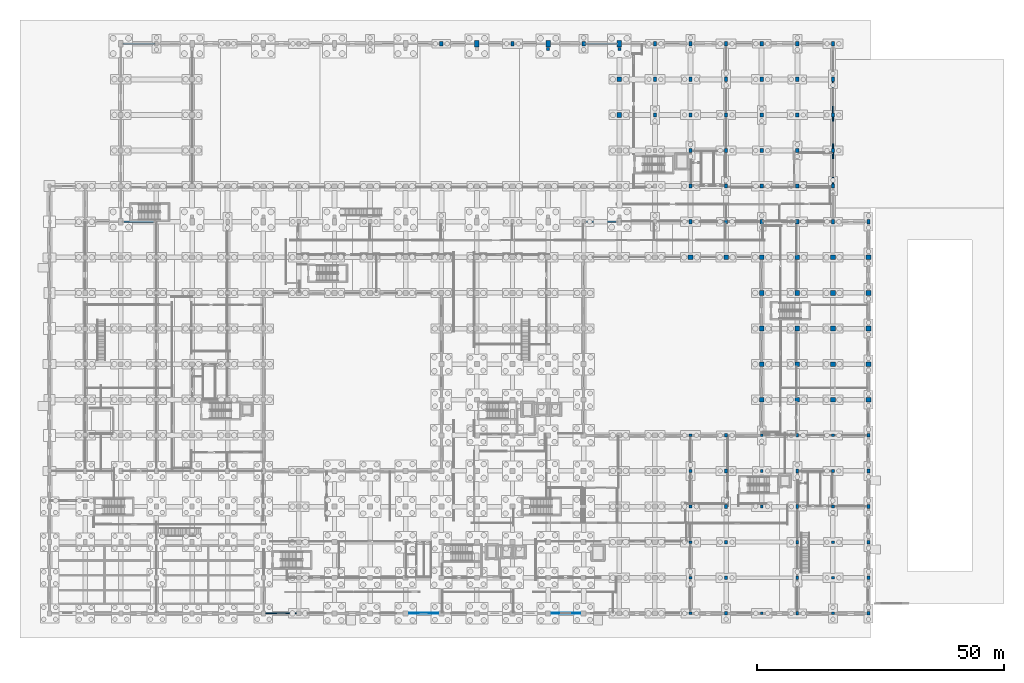
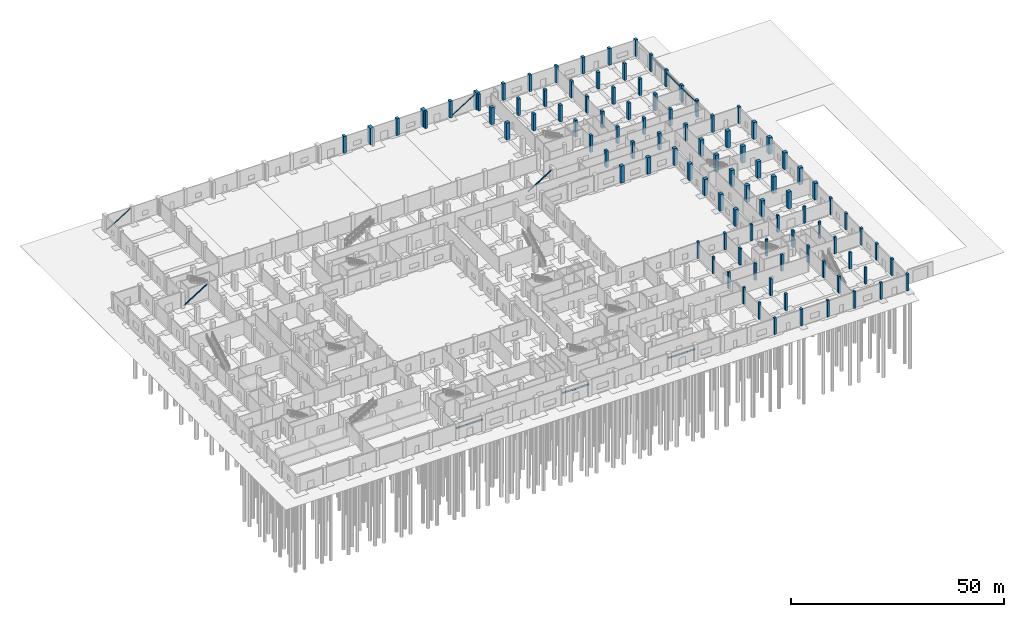
# One storey, part 14 of 48: 100 columns, 6 beams, 4 members.
"""IFC4 building model written with IfcOpenShell, lengths in metres."""

from ifc_helpers import new_model, si_unit, direction, frame, origin, origin_2d, place, context, subcontext, project, spatial, rectangle, hollow_rectangle, extrude, material, material_profile, profile_set, type_object, element, save


model = new_model("IFC4")

# Units and contexts
model_context = context("Model", 3, precision=1e-05, world=origin(), true_north=direction((0.0, 1.0)))
body_context = subcontext(model_context, "Body", "Model", "MODEL_VIEW")
ifc_project = project(units=[si_unit("LENGTHUNIT", "METRE"), si_unit("AREAUNIT", "SQUARE_METRE"), si_unit("VOLUMEUNIT", "CUBIC_METRE"), si_unit("PLANEANGLEUNIT", "RADIAN"), si_unit("MASSUNIT", "GRAM", prefix="KILO")], contexts=[model_context])

# Site, building, storey
site_placement = place(None, origin())
site = spatial("IfcSite", under=ifc_project, at=site_placement, CompositionType="ELEMENT")
building_placement = place(site_placement, origin())
building = spatial("IfcBuilding", under=site, at=building_placement, Name="Seraya Terrace Polytechnic", CompositionType="ELEMENT")
storey_placement = place(building_placement, origin())
storey = spatial("IfcBuildingStorey", under=building, at=storey_placement, Name="L00", CompositionType="ELEMENT", Elevation=0.0)

# Columns
ifc_material_1 = material(Name="Concrete C40/50", Category="concrete")
ifc_material_profile_1 = material_profile(ifc_material_1, rectangle(XDim=0.949951171875, YDim=0.949951171875, at=origin_2d()), Name="RC 950x950")
ifc_profile_set_1 = profile_set([ifc_material_profile_1], Name="Concrete C40/50")
column_type_1 = type_object("IfcColumnType", Name="C-02", PredefinedType="COLUMN", material=ifc_profile_set_1)
for number, where, z_axis, x_axis, name in (
    (1, (115.199951171875, 100.800048828125, 0.0), (0.0, 0.0, 1.0), (1.0, 0.0, 0.0), "Column C-02 L00 (115.2, 100.8)"),
    (2, (115.199951171875, 108.0, 0.0), (0.0, 0.0, 1.0), (1.0, 0.0, 0.0), "Column C-02 L00 (115.2, 108.0)"),
    (3, (129.60009765625, 72.0, 0.0), (0.0, 0.0, 1.0), (1.0, 0.0, 0.0), "Column C-02 L00 (129.6, 72.0)"),
    (4, (136.800048828125, 72.0, 0.0), (0.0, 0.0, 1.0), (1.0, 0.0, 0.0), "Column C-02 L00 (136.8, 72.0)"),
    (5, (144.0, 43.199951171875, 0.0), (0.0, 0.0, 1.0), (1.0, 0.0, 0.0), "Column C-02 L00 (144.0, 43.2)"),
    (6, (144.0, 50.39990234375, 0.0), (0.0, 0.0, 1.0), (1.0, 0.0, 0.0), "Column C-02 L00 (144.0, 50.4)"),
    (7, (144.0, 57.60009765625, 0.0), (0.0, 0.0, 1.0), (1.0, 0.0, 0.0), "Column C-02 L00 (144.0, 57.6)"),
    (8, (144.0, 64.800048828125, 0.0), (0.0, 0.0, 1.0), (1.0, 0.0, 0.0), "Column C-02 L00 (144.0, 64.8)"),
    (9, (144.0, 72.0, 0.0), (0.0, 0.0, 1.0), (1.0, 0.0, 0.0), "Column C-02 L00 (144.0, 72.0)"),
    (10, (151.199951171875, 43.199951171875, 0.0), (0.0, 0.0, 1.0), (1.0, 0.0, 0.0), "Column C-02 L00 (151.2, 43.2)"),
    (11, (151.199951171875, 50.39990234375, 0.0), (0.0, 0.0, 1.0), (1.0, 0.0, 0.0), "Column C-02 L00 (151.2, 50.4)"),
    (12, (151.199951171875, 57.60009765625, 0.0), (0.0, 0.0, 1.0), (1.0, 0.0, 0.0), "Column C-02 L00 (151.2, 57.6)"),
    (13, (151.199951171875, 64.800048828125, 0.0), (0.0, 0.0, 1.0), (1.0, 0.0, 0.0), "Column C-02 L00 (151.2, 64.8)"),
    (14, (151.199951171875, 72.0, 0.0), (0.0, 0.0, 1.0), (1.0, 0.0, 0.0), "Column C-02 L00 (151.2, 72.0)"),
    (15, (158.39990234375, 43.199951171875, 0.0), (0.0, 0.0, 1.0), (1.0, 0.0, 0.0), "Column C-02 L00 (158.4, 43.2)"),
    (16, (158.39990234375, 50.39990234375, 0.0), (0.0, 0.0, 1.0), (1.0, 0.0, 0.0), "Column C-02 L00 (158.4, 50.4)"),
    (17, (158.39990234375, 57.60009765625, 0.0), (0.0, 0.0, 1.0), (1.0, 0.0, 0.0), "Column C-02 L00 (158.4, 57.6)"),
    (18, (158.39990234375, 64.800048828125, 0.0), (0.0, 0.0, 1.0), (1.0, 0.0, 0.0), "Column C-02 L00 (158.4, 64.8)"),
    (19, (158.39990234375, 72.0, 0.0), (0.0, 0.0, 1.0), (1.0, 0.0, 0.0), "Column C-02 L00 (158.4, 72.0)"),
    (20, (165.60009765625, 43.199951171875, 0.0), (0.0, 0.0, 1.0), (1.0, 0.0, 0.0), "Column C-02 L00 (165.6, 43.2)"),
    (21, (165.60009765625, 50.39990234375, 0.0), (0.0, 0.0, 1.0), (1.0, 0.0, 0.0), "Column C-02 L00 (165.6, 50.4)"),
    (22, (165.60009765625, 57.60009765625, 0.0), (0.0, 0.0, 1.0), (1.0, 0.0, 0.0), "Column C-02 L00 (165.6, 57.6)"),
    (23, (165.60009765625, 64.800048828125, 0.0), (0.0, 0.0, 1.0), (1.0, 0.0, 0.0), "Column C-02 L00 (165.6, 64.8)"),
    (24, (165.60009765625, 72.0, 0.0), (0.0, 0.0, 1.0), (1.0, 0.0, 0.0), "Column C-02 L00 (165.6, 72.0)"),
):
    element("IfcColumn", number, at=place(storey_placement, frame(where, z_axis=z_axis, x_axis=x_axis)), inside=storey, type_object=column_type_1, Name=name, PredefinedType="COLUMN", context=body_context, shape_type="SweptSolid", body=[
        extrude(rectangle(XDim=0.949951171875, YDim=0.949951171875, at=origin_2d()), origin(), (0.0, 0.0, 1.0), 4.800048828125),
    ])
ifc_material_profile_2 = material_profile(ifc_material_1, rectangle(XDim=0.60009765625, YDim=0.60009765625, at=origin_2d()), Name="RC 600x600")
ifc_profile_set_2 = profile_set([ifc_material_profile_2], Name="Concrete C40/50")
column_type_2 = type_object("IfcColumnType", Name="C-09", PredefinedType="COLUMN", material=ifc_profile_set_2)
for number, where, z_axis, x_axis, name in (
    (25, (100.800048828125, 114.179931640625, 0.0), (0.0, 0.0, 1.0), (1.0, 0.0, 0.0), "Crane shoulder column L00 (100.8, 114.18)"),
    (26, (115.199951171875, 114.179931640625, 0.0), (0.0, 0.0, 1.0), (1.0, 0.0, 0.0), "Crane shoulder column L00 (115.2, 114.18)"),
):
    element("IfcColumn", number, at=place(storey_placement, frame(where, z_axis=z_axis, x_axis=x_axis)), inside=storey, type_object=column_type_2, Name=name, PredefinedType="COLUMN", context=body_context, shape_type="SweptSolid", body=[
        extrude(rectangle(XDim=0.60009765625, YDim=0.60009765625, at=origin_2d()), origin(), (0.0, 0.0, 1.0), 4.800048828125),
    ])
ifc_material_profile_3 = material_profile(ifc_material_1, rectangle(XDim=0.550048828125, YDim=0.550048828125, at=origin_2d()), Name="RC 550x550")
ifc_profile_set_3 = profile_set([ifc_material_profile_3], Name="Concrete C40/50")
column_type_3 = type_object("IfcColumnType", Name="C-10", PredefinedType="COLUMN", material=ifc_profile_set_3)
for number, where, z_axis, x_axis, name in (
    (27, (129.60009765625, 0.0, 0.0), (0.0, 0.0, 1.0), (1.0, 0.0, 0.0), "Column C-10 L00 (129.6, 0.0)"),
    (28, (129.60009765625, 7.199951171875, 0.0), (0.0, 0.0, 1.0), (1.0, 0.0, 0.0), "Column C-10 L00 (129.6, 7.2)"),
    (29, (129.60009765625, 14.39990234375, 0.0), (0.0, 0.0, 1.0), (1.0, 0.0, 0.0), "Column C-10 L00 (129.6, 14.4)"),
    (30, (129.60009765625, 21.60009765625, 0.0), (0.0, 0.0, 1.0), (1.0, 0.0, 0.0), "Column C-10 L00 (129.6, 21.6)"),
    (31, (129.60009765625, 28.800048828125, 0.0), (0.0, 0.0, 1.0), (1.0, 0.0, 0.0), "Column C-10 L00 (129.6, 28.8)"),
    (32, (129.60009765625, 36.0, 0.0), (0.0, 0.0, 1.0), (1.0, 0.0, 0.0), "Column C-10 L00 (129.6, 36.0)"),
    (33, (144.0, 0.0, 0.0), (0.0, 0.0, 1.0), (1.0, 0.0, 0.0), "Column C-10 L00 (144.0, 0.0)"),
    (34, (144.0, 21.60009765625, 0.0), (0.0, 0.0, 1.0), (1.0, 0.0, 0.0), "Column C-10 L00 (144.0, 21.6)"),
    (35, (144.0, 28.800048828125, 0.0), (0.0, 0.0, 1.0), (1.0, 0.0, 0.0), "Column C-10 L00 (144.0, 28.8)"),
    (36, (144.0, 36.0, 0.0), (0.0, 0.0, 1.0), (1.0, 0.0, 0.0), "Column C-10 L00 (144.0, 36.0)"),
    (37, (158.39990234375, 0.0, 0.0), (0.0, 0.0, 1.0), (1.0, 0.0, 0.0), "Column C-10 L00 (158.4, 0.0)"),
    (38, (158.39990234375, 7.199951171875, 0.0), (0.0, 0.0, 1.0), (1.0, 0.0, 0.0), "Column C-10 L00 (158.4, 7.2)"),
    (39, (158.39990234375, 14.39990234375, 0.0), (0.0, 0.0, 1.0), (1.0, 0.0, 0.0), "Column C-10 L00 (158.4, 14.4)"),
    (40, (158.39990234375, 21.60009765625, 0.0), (0.0, 0.0, 1.0), (1.0, 0.0, 0.0), "Column C-10 L00 (158.4, 21.6)"),
    (41, (158.39990234375, 28.800048828125, 0.0), (0.0, 0.0, 1.0), (1.0, 0.0, 0.0), "Column C-10 L00 (158.4, 28.8)"),
    (42, (158.39990234375, 36.0, 0.0), (0.0, 0.0, 1.0), (1.0, 0.0, 0.0), "Column C-10 L00 (158.4, 36.0)"),
):
    element("IfcColumn", number, at=place(storey_placement, frame(where, z_axis=z_axis, x_axis=x_axis)), inside=storey, type_object=column_type_3, Name=name, PredefinedType="COLUMN", context=body_context, shape_type="SweptSolid", body=[
        extrude(rectangle(XDim=0.550048828125, YDim=0.550048828125, at=origin_2d()), origin(), (0.0, 0.0, 1.0), 4.800048828125),
    ])
ifc_material_profile_4 = material_profile(ifc_material_1, rectangle(XDim=0.89990234375, YDim=1.39990234375, at=origin_2d()), Name="RC 900x1400")
ifc_profile_set_4 = profile_set([ifc_material_profile_4], Name="Concrete C40/50")
column_type_4 = type_object("IfcColumnType", Name="C-13", PredefinedType="COLUMN", material=ifc_profile_set_4)
for number, where, z_axis, x_axis, name in (
    (43, (86.39990234375, 115.199951171875, 0.0), (0.0, 0.0, 1.0), (1.0, 0.0, 0.0), "Column C-13 L00 (86.4, 115.2)"),
    (44, (100.800048828125, 115.199951171875, 0.0), (0.0, 0.0, 1.0), (1.0, 0.0, 0.0), "Column C-13 L00 (100.8, 115.2)"),
    (45, (115.199951171875, 115.199951171875, 0.0), (0.0, 0.0, 1.0), (1.0, 0.0, 0.0), "Column C-13 L00 (115.2, 115.2)"),
):
    element("IfcColumn", number, at=place(storey_placement, frame(where, z_axis=z_axis, x_axis=x_axis)), inside=storey, type_object=column_type_4, Name=name, PredefinedType="COLUMN", context=body_context, shape_type="SweptSolid", body=[
        extrude(rectangle(XDim=0.89990234375, YDim=1.39990234375, at=origin_2d()), origin(), (0.0, 0.0, 1.0), 4.800048828125),
    ])
ifc_material_profile_5 = material_profile(ifc_material_1, rectangle(XDim=0.699951171875, YDim=0.89990234375, at=origin_2d()), Name="RC 700x900")
ifc_profile_set_5 = profile_set([ifc_material_profile_5], Name="Concrete C40/50")
column_type_5 = type_object("IfcColumnType", Name="C-15", PredefinedType="COLUMN", material=ifc_profile_set_5)
for number, where, z_axis, x_axis, name in (
    (46, (79.199951171875, 115.199951171875, 0.0), (0.0, 0.0, 1.0), (1.0, 0.0, 0.0), "Column C-15 L00 (79.2, 115.2)"),
    (47, (93.60009765625, 115.199951171875, 0.0), (0.0, 0.0, 1.0), (1.0, 0.0, 0.0), "Column C-15 L00 (93.6, 115.2)"),
    (48, (108.0, 115.199951171875, 0.0), (0.0, 0.0, 1.0), (1.0, 0.0, 0.0), "Column C-15 L00 (108.0, 115.2)"),
):
    element("IfcColumn", number, at=place(storey_placement, frame(where, z_axis=z_axis, x_axis=x_axis)), inside=storey, type_object=column_type_5, Name=name, PredefinedType="COLUMN", context=body_context, shape_type="SweptSolid", body=[
        extrude(rectangle(XDim=0.699951171875, YDim=0.89990234375, at=origin_2d()), origin(), (0.0, 0.0, 1.0), 4.800048828125),
    ])
ifc_material_profile_6 = material_profile(ifc_material_1, rectangle(XDim=0.64990234375, YDim=0.85009765625, at=origin_2d()), Name="RC 650x850")
ifc_profile_set_6 = profile_set([ifc_material_profile_6], Name="Concrete C40/50")
column_type_6 = type_object("IfcColumnType", Name="C-16", PredefinedType="COLUMN", material=ifc_profile_set_6)
for number, where, z_axis, x_axis, name in (
    (49, (122.39990234375, 100.800048828125, 0.0), (0.0, 0.0, 1.0), (1.0, 0.0, 0.0), "Column C-16 L00 (122.4, 100.8)"),
    (50, (122.39990234375, 108.0, 0.0), (0.0, 0.0, 1.0), (1.0, 0.0, 0.0), "Column C-16 L00 (122.4, 108.0)"),
    (51, (122.39990234375, 115.199951171875, 0.0), (0.0, 0.0, 1.0), (1.0, 0.0, 0.0), "Column C-16 L00 (122.4, 115.2)"),
    (52, (129.60009765625, 79.199951171875, 0.0), (0.0, 0.0, 1.0), (1.0, 0.0, 0.0), "Column C-16 L00 (129.6, 79.2)"),
    (53, (129.60009765625, 86.39990234375, 0.0), (0.0, 0.0, 1.0), (1.0, 0.0, 0.0), "Column C-16 L00 (129.6, 86.4)"),
    (54, (129.60009765625, 93.60009765625, 0.0), (0.0, 0.0, 1.0), (1.0, 0.0, 0.0), "Column C-16 L00 (129.6, 93.6)"),
    (55, (129.60009765625, 100.800048828125, 0.0), (0.0, 0.0, 1.0), (1.0, 0.0, 0.0), "Column C-16 L00 (129.6, 100.8)"),
    (56, (129.60009765625, 108.0, 0.0), (0.0, 0.0, 1.0), (1.0, 0.0, 0.0), "Column C-16 L00 (129.6, 108.0)"),
    (57, (129.60009765625, 115.199951171875, 0.0), (0.0, 0.0, 1.0), (1.0, 0.0, 0.0), "Column C-16 L00 (129.6, 115.2)"),
    (58, (136.800048828125, 79.199951171875, 0.0), (0.0, 0.0, 1.0), (1.0, 0.0, 0.0), "Column C-16 L00 (136.8, 79.2)"),
    (59, (136.800048828125, 86.39990234375, 0.0), (0.0, 0.0, 1.0), (1.0, 0.0, 0.0), "Column C-16 L00 (136.8, 86.4)"),
    (60, (136.800048828125, 93.60009765625, 0.0), (0.0, 0.0, 1.0), (1.0, 0.0, 0.0), "Column C-16 L00 (136.8, 93.6)"),
    (61, (136.800048828125, 100.800048828125, 0.0), (0.0, 0.0, 1.0), (1.0, 0.0, 0.0), "Column C-16 L00 (136.8, 100.8)"),
    (62, (136.800048828125, 108.0, 0.0), (0.0, 0.0, 1.0), (1.0, 0.0, 0.0), "Column C-16 L00 (136.8, 108.0)"),
    (63, (136.800048828125, 115.199951171875, 0.0), (0.0, 0.0, 1.0), (1.0, 0.0, 0.0), "Column C-16 L00 (136.8, 115.2)"),
    (64, (144.0, 79.199951171875, 0.0), (0.0, 0.0, 1.0), (1.0, 0.0, 0.0), "Column C-16 L00 (144.0, 79.2)"),
    (65, (144.0, 86.39990234375, 0.0), (0.0, 0.0, 1.0), (1.0, 0.0, 0.0), "Column C-16 L00 (144.0, 86.4)"),
    (66, (144.0, 93.60009765625, 0.0), (0.0, 0.0, 1.0), (1.0, 0.0, 0.0), "Column C-16 L00 (144.0, 93.6)"),
    (67, (144.0, 100.800048828125, 0.0), (0.0, 0.0, 1.0), (1.0, 0.0, 0.0), "Column C-16 L00 (144.0, 100.8)"),
    (68, (144.0, 108.0, 0.0), (0.0, 0.0, 1.0), (1.0, 0.0, 0.0), "Column C-16 L00 (144.0, 108.0)"),
    (69, (144.0, 115.199951171875, 0.0), (0.0, 0.0, 1.0), (1.0, 0.0, 0.0), "Column C-16 L00 (144.0, 115.2)"),
    (70, (151.199951171875, 79.199951171875, 0.0), (0.0, 0.0, 1.0), (1.0, 0.0, 0.0), "Column C-16 L00 (151.2, 79.2)"),
    (71, (151.199951171875, 86.39990234375, 0.0), (0.0, 0.0, 1.0), (1.0, 0.0, 0.0), "Column C-16 L00 (151.2, 86.4)"),
    (72, (151.199951171875, 93.60009765625, 0.0), (0.0, 0.0, 1.0), (1.0, 0.0, 0.0), "Column C-16 L00 (151.2, 93.6)"),
    (73, (151.199951171875, 100.800048828125, 0.0), (0.0, 0.0, 1.0), (1.0, 0.0, 0.0), "Column C-16 L00 (151.2, 100.8)"),
    (74, (151.199951171875, 108.0, 0.0), (0.0, 0.0, 1.0), (1.0, 0.0, 0.0), "Column C-16 L00 (151.2, 108.0)"),
    (75, (151.199951171875, 115.199951171875, 0.0), (0.0, 0.0, 1.0), (1.0, 0.0, 0.0), "Column C-16 L00 (151.2, 115.2)"),
    (76, (158.39990234375, 79.199951171875, 0.0), (0.0, 0.0, 1.0), (1.0, 0.0, 0.0), "Column C-16 L00 (158.4, 79.2)"),
    (77, (158.39990234375, 86.39990234375, 0.0), (0.0, 0.0, 1.0), (1.0, 0.0, 0.0), "Column C-16 L00 (158.4, 86.4)"),
    (78, (158.39990234375, 93.60009765625, 0.0), (0.0, 0.0, 1.0), (1.0, 0.0, 0.0), "Column C-16 L00 (158.4, 93.6)"),
    (79, (158.39990234375, 100.800048828125, 0.0), (0.0, 0.0, 1.0), (1.0, 0.0, 0.0), "Column C-16 L00 (158.4, 100.8)"),
    (80, (158.39990234375, 108.0, 0.0), (0.0, 0.0, 1.0), (1.0, 0.0, 0.0), "Column C-16 L00 (158.4, 108.0)"),
    (81, (158.39990234375, 115.199951171875, 0.0), (0.0, 0.0, 1.0), (1.0, 0.0, 0.0), "Column C-16 L00 (158.4, 115.2)"),
    (82, (165.60009765625, 79.199951171875, 0.0), (0.0, 0.0, 1.0), (1.0, 0.0, 0.0), "Column C-16 L00 (165.6, 79.2)"),
):
    element("IfcColumn", number, at=place(storey_placement, frame(where, z_axis=z_axis, x_axis=x_axis)), inside=storey, type_object=column_type_6, Name=name, PredefinedType="COLUMN", context=body_context, shape_type="SweptSolid", body=[
        extrude(rectangle(XDim=0.64990234375, YDim=0.85009765625, at=origin_2d()), origin(), (0.0, 0.0, 1.0), 4.800048828125),
    ])
ifc_material_profile_7 = material_profile(ifc_material_1, rectangle(XDim=0.550048828125, YDim=0.75, at=origin_2d()), Name="RC 550x750")
ifc_profile_set_7 = profile_set([ifc_material_profile_7], Name="Concrete C40/50")
column_type_7 = type_object("IfcColumnType", Name="C-17", PredefinedType="COLUMN", material=ifc_profile_set_7)
for number, where, z_axis, x_axis, name in (
    (83, (136.800048828125, 0.0, 0.0), (0.0, 0.0, 1.0), (1.0, 0.0, 0.0), "Column C-17 L00 (136.8, 0.0)"),
    (84, (136.800048828125, 7.199951171875, 0.0), (0.0, 0.0, 1.0), (1.0, 0.0, 0.0), "Column C-17 L00 (136.8, 7.2)"),
    (85, (136.800048828125, 14.39990234375, 0.0), (0.0, 0.0, 1.0), (1.0, 0.0, 0.0), "Column C-17 L00 (136.8, 14.4)"),
    (86, (136.800048828125, 21.60009765625, 0.0), (0.0, 0.0, 1.0), (1.0, 0.0, 0.0), "Column C-17 L00 (136.8, 21.6)"),
    (87, (136.800048828125, 28.800048828125, 0.0), (0.0, 0.0, 1.0), (1.0, 0.0, 0.0), "Column C-17 L00 (136.8, 28.8)"),
    (88, (136.800048828125, 36.0, 0.0), (0.0, 0.0, 1.0), (1.0, 0.0, 0.0), "Column C-17 L00 (136.8, 36.0)"),
    (89, (151.199951171875, 0.0, 0.0), (0.0, 0.0, 1.0), (1.0, 0.0, 0.0), "Column C-17 L00 (151.2, 0.0)"),
    (90, (151.199951171875, 7.199951171875, 0.0), (0.0, 0.0, 1.0), (1.0, 0.0, 0.0), "Column C-17 L00 (151.2, 7.2)"),
    (91, (151.199951171875, 14.39990234375, 0.0), (0.0, 0.0, 1.0), (1.0, 0.0, 0.0), "Column C-17 L00 (151.2, 14.4)"),
    (92, (151.199951171875, 21.60009765625, 0.0), (0.0, 0.0, 1.0), (1.0, 0.0, 0.0), "Column C-17 L00 (151.2, 21.6)"),
    (93, (151.199951171875, 28.800048828125, 0.0), (0.0, 0.0, 1.0), (1.0, 0.0, 0.0), "Column C-17 L00 (151.2, 28.8)"),
    (94, (151.199951171875, 36.0, 0.0), (0.0, 0.0, 1.0), (1.0, 0.0, 0.0), "Column C-17 L00 (151.2, 36.0)"),
    (95, (165.60009765625, 0.0, 0.0), (0.0, 0.0, 1.0), (1.0, 0.0, 0.0), "Column C-17 L00 (165.6, 0.0)"),
    (96, (165.60009765625, 7.199951171875, 0.0), (0.0, 0.0, 1.0), (1.0, 0.0, 0.0), "Column C-17 L00 (165.6, 7.2)"),
    (97, (165.60009765625, 14.39990234375, 0.0), (0.0, 0.0, 1.0), (1.0, 0.0, 0.0), "Column C-17 L00 (165.6, 14.4)"),
    (98, (165.60009765625, 21.60009765625, 0.0), (0.0, 0.0, 1.0), (1.0, 0.0, 0.0), "Column C-17 L00 (165.6, 21.6)"),
    (99, (165.60009765625, 28.800048828125, 0.0), (0.0, 0.0, 1.0), (1.0, 0.0, 0.0), "Column C-17 L00 (165.6, 28.8)"),
    (100, (165.60009765625, 36.0, 0.0), (0.0, 0.0, 1.0), (1.0, 0.0, 0.0), "Column C-17 L00 (165.6, 36.0)"),
):
    element("IfcColumn", number, at=place(storey_placement, frame(where, z_axis=z_axis, x_axis=x_axis)), inside=storey, type_object=column_type_7, Name=name, PredefinedType="COLUMN", context=body_context, shape_type="SweptSolid", body=[
        extrude(rectangle(XDim=0.550048828125, YDim=0.75, at=origin_2d()), origin(), (0.0, 0.0, 1.0), 4.800048828125),
    ])

# Members
ifc_material_2 = material(Name="Steel S355J2", Category="steel")
ifc_material_profile_8 = material_profile(ifc_material_2, hollow_rectangle(XDim=0.25, YDim=0.25, WallThickness=0.012451171875, at=origin_2d()), Name="SHS 250x250x12.5")
ifc_profile_set_8 = profile_set([ifc_material_profile_8], Name="Steel S355J2")
member_type = type_object("IfcMemberType", Name="BR-04", PredefinedType="BRACE", material=ifc_profile_set_8)
for number, where, z_axis, x_axis, name in (
    (101, (14.864990234375, 79.199951171875, 0.25), (0.846880470544, 0.0, 0.531783291024), (0.0, 1.0, 0.0), "Solid-bay vertical wind brace L00 SW"),
    (102, (108.364990234375, 79.199951171875, 0.25), (0.846880470544, 0.0, 0.531783291024), (0.0, 1.0, 0.0), "Solid-bay vertical wind brace L00 SE"),
    (103, (14.864990234375, 115.199951171875, 0.25), (0.846880470544, 0.0, 0.531783291024), (0.0, 1.0, 0.0), "Solid-bay vertical wind brace L00 NW"),
    (104, (108.364990234375, 115.199951171875, 0.25), (0.846880470544, 0.0, 0.531783291024), (0.0, 1.0, 0.0), "Solid-bay vertical wind brace L00 NE"),
):
    element("IfcMember", number, at=place(storey_placement, frame(where, z_axis=z_axis, x_axis=x_axis)), inside=storey, type_object=member_type, Name=name, PredefinedType="BRACE", context=body_context, shape_type="SweptSolid", body=[
        extrude(hollow_rectangle(XDim=0.25, YDim=0.25, WallThickness=0.012451171875, at=origin_2d()), origin(), (0.0, 0.0, 1.0), 7.52197265625),
    ])

# Beams
ifc_material_profile_9 = material_profile(ifc_material_1, rectangle(XDim=0.25, YDim=0.35009765625, at=origin_2d()), Name="RC 250x350")
ifc_profile_set_9 = profile_set([ifc_material_profile_9], Name="Concrete C40/50")
beam_type_1 = type_object("IfcBeamType", Name="LN-01", PredefinedType="LINTEL", material=ifc_profile_set_9)
beam_1_placement = place(storey_placement, frame((158.39990234375, 86.39990234375, 3.8798828125), z_axis=(0.0, 1.0, 0.0), x_axis=(-1.0, 0.0, 0.0)))
element("IfcBeam", 105, at=beam_1_placement, inside=storey, type_object=beam_type_1, Name="Opening head lintel LN-01 #1", PredefinedType="LINTEL", context=body_context, shape_type="SweptSolid", body=[
    extrude(rectangle(XDim=0.25, YDim=0.35009765625, at=origin_2d()), origin(), (0.0, 0.0, 1.0), 7.2001953125),
])
beam_2_placement = place(storey_placement, frame((158.39990234375, 93.60009765625, 3.8798828125), z_axis=(0.0, 1.0, 0.0), x_axis=(-1.0, 0.0, 0.0)))
element("IfcBeam", 106, at=beam_2_placement, inside=storey, type_object=beam_type_1, Name="Opening head lintel LN-01 #2", PredefinedType="LINTEL", context=body_context, shape_type="SweptSolid", body=[
    extrude(rectangle(XDim=0.25, YDim=0.35009765625, at=origin_2d()), origin(), (0.0, 0.0, 1.0), 7.199951171875),
])
ifc_material_profile_10 = material_profile(ifc_material_1, rectangle(XDim=0.219970703125, YDim=0.360107421875, at=origin_2d()), Name="RC 220x360")
ifc_profile_set_10 = profile_set([ifc_material_profile_10], Name="Concrete C40/50")
beam_type_2 = type_object("IfcBeamType", Name="LN-02", PredefinedType="LINTEL", material=ifc_profile_set_10)
for number, where, z_axis, x_axis, name in (
    (107, (158.39990234375, 100.800048828125, 3.8798828125), (0.0, 1.0, 0.0), (-1.0, 0.0, 0.0), "Opening head lintel LN-02 #3"),
    (108, (43.199951171875, 0.0, 3.219970703125), (1.0, 0.0, 0.0), (0.0, 1.0, 0.0), "Opening head lintel LN-02 #4"),
):
    element("IfcBeam", number, at=place(storey_placement, frame(where, z_axis=z_axis, x_axis=x_axis)), inside=storey, type_object=beam_type_2, Name=name, PredefinedType="LINTEL", context=body_context, shape_type="SweptSolid", body=[
        extrude(rectangle(XDim=0.219970703125, YDim=0.360107421875, at=origin_2d()), origin(), (0.0, 0.0, 1.0), 7.199951171875),
    ])
ifc_material_profile_11 = material_profile(ifc_material_1, rectangle(XDim=0.199951171875, YDim=0.300048828125, at=origin_2d()), Name="RC 200x300")
ifc_profile_set_11 = profile_set([ifc_material_profile_11], Name="Concrete C40/50")
beam_type_3 = type_object("IfcBeamType", Name="LN-03", PredefinedType="LINTEL", material=ifc_profile_set_11)
for number, where, z_axis, x_axis, name in (
    (109, (72.0, 0.0, 3.219970703125), (1.0, 0.0, 0.0), (0.0, 1.0, 0.0), "Opening head lintel LN-03 #5"),
    (110, (100.800048828125, 0.0, 3.219970703125), (1.0, 0.0, 0.0), (0.0, 1.0, 0.0), "Opening head lintel LN-03 #6"),
):
    element("IfcBeam", number, at=place(storey_placement, frame(where, z_axis=z_axis, x_axis=x_axis)), inside=storey, type_object=beam_type_3, Name=name, PredefinedType="LINTEL", context=body_context, shape_type="SweptSolid", body=[
        extrude(rectangle(XDim=0.199951171875, YDim=0.300048828125, at=origin_2d()), origin(), (0.0, 0.0, 1.0), 7.199951171875),
    ])

save(model, "model.ifc")
